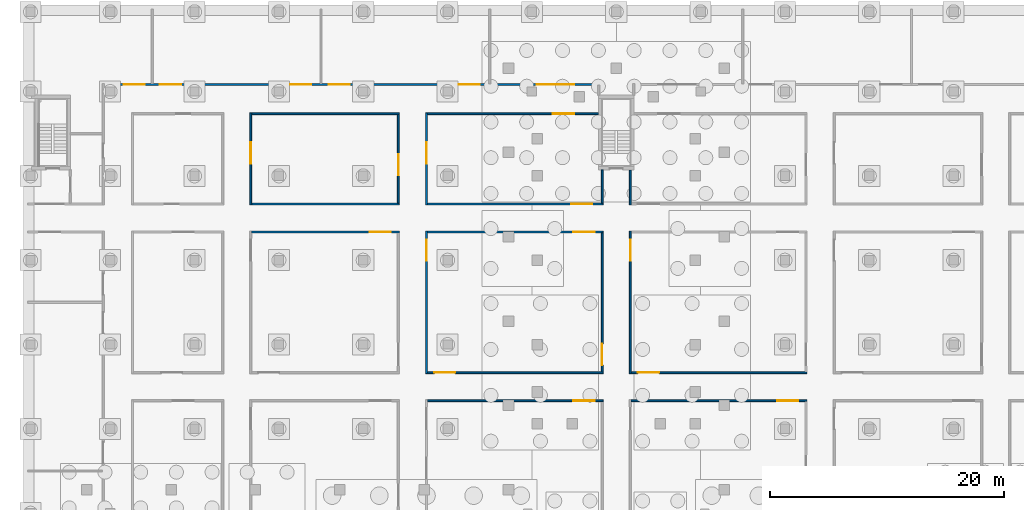
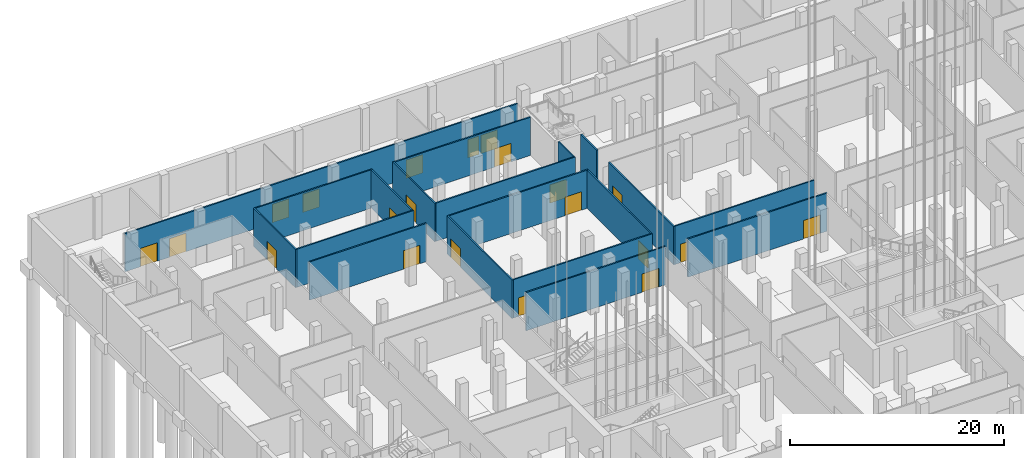
# One storey, part 17 of 54: 21 doors, 19 walls, 21 openings.
"""IFC4 building model written with IfcOpenShell, lengths in metres."""

from ifc_helpers import new_model, si_unit, direction, frame, frame_2d, origin, place, context, subcontext, project, spatial, rectangle, extrude, material, layer, layer_set, type_object, element, fill, save


model = new_model("IFC4")

# Units and contexts
model_context = context("Model", 3, precision=1e-05, world=origin(), true_north=direction((0.0, 1.0)))
body_context = subcontext(model_context, "Body", "Model", "MODEL_VIEW")
ifc_project = project(units=[si_unit("LENGTHUNIT", "METRE"), si_unit("AREAUNIT", "SQUARE_METRE"), si_unit("VOLUMEUNIT", "CUBIC_METRE"), si_unit("PLANEANGLEUNIT", "RADIAN"), si_unit("MASSUNIT", "GRAM", prefix="KILO")], contexts=[model_context])

# Site, building, storey
site_placement = place(None, origin())
site = spatial("IfcSite", under=ifc_project, at=site_placement, CompositionType="ELEMENT")
building_placement = place(site_placement, origin())
building = spatial("IfcBuilding", under=site, at=building_placement, Name="Fustian Cross Tower", CompositionType="ELEMENT")
storey_placement = place(building_placement, frame((0.0, 0.0, -4.800048828125)))
storey = spatial("IfcBuildingStorey", under=building, at=storey_placement, Name="B1", CompositionType="ELEMENT", Elevation=-4.800048828125)

# Wall, openings, doors
ifc_material_1 = material(Name="Plasterboard on steel stud", Category="steel")
ifc_layer = layer(ifc_material_1, 0.14990234375)
ifc_layer_set = layer_set([ifc_layer], Name="Plasterboard on steel stud")
wall_type = type_object("IfcWallType", Name="COMPARTMENT WALL 150 EI 60", PredefinedType="PARTITIONING", material=ifc_layer_set)
wall_1_placement = place(storey_placement, frame((-43.72509765625, 43.800048828125, 0.0), z_axis=(0.0, 0.0, 1.0), x_axis=(1.0, 0.0, 0.0)))
wall_1 = element("IfcWall", 1, at=wall_1_placement, inside=storey, type_object=wall_type, Name="Partition 20", PredefinedType="PARTITIONING", context=body_context, shape_type="SweptSolid", body=[
    extrude(rectangle(XDim=42.300048828125, YDim=0.14990234375, at=frame_2d((21.14990234375, 0.0))), origin(), (0.0, 0.0, 1.0), 4.35009765625),
])
opening_1_placement = place(wall_1_placement, frame((4.77490234375, 0.0, 0.0)))
opening_1 = element("IfcOpeningElement", 2, at=opening_1_placement, cuts=wall_1, Name="Opening D01112", PredefinedType="OPENING", context=body_context, shape_type="SweptSolid", body=[
    extrude(rectangle(XDim=1.800048828125, YDim=2.10009765625, at=frame_2d((0.89990234375, 1.050048828125))), frame((0.0, 0.0849609375, 0.0), z_axis=(0.0, -1.0, 0.0), x_axis=(1.0, 0.0, 0.0)), (0.0, 0.0, 1.0), 0.169921875),
])
opening_2_placement = place(wall_1_placement, frame((15.875, 0.0, 0.0)))
opening_2 = element("IfcOpeningElement", 3, at=opening_2_placement, cuts=wall_1, Name="Opening D01113", PredefinedType="OPENING", context=body_context, shape_type="SweptSolid", body=[
    extrude(rectangle(XDim=1.800048828125, YDim=2.10009765625, at=frame_2d((0.89990234375, 1.050048828125))), frame((0.0, 0.0849609375, 0.0), z_axis=(0.0, -1.0, 0.0), x_axis=(1.0, 0.0, 0.0)), (0.0, 0.0, 1.0), 0.169921875),
])
opening_3_placement = place(wall_1_placement, frame((19.175048828125, 0.0, 0.0)))
opening_3 = element("IfcOpeningElement", 4, at=opening_3_placement, cuts=wall_1, Name="Opening D01114", PredefinedType="OPENING", context=body_context, shape_type="SweptSolid", body=[
    extrude(rectangle(XDim=1.800048828125, YDim=2.10009765625, at=frame_2d((0.89990234375, 1.050048828125))), frame((0.0, 0.0849609375, 0.0), z_axis=(0.0, -1.0, 0.0), x_axis=(1.0, 0.0, 0.0)), (0.0, 0.0, 1.0), 0.169921875),
])
opening_4_placement = place(wall_1_placement, frame((30.27490234375, 0.0, 0.0)))
opening_4 = element("IfcOpeningElement", 5, at=opening_4_placement, cuts=wall_1, Name="Opening D01115", PredefinedType="OPENING", context=body_context, shape_type="SweptSolid", body=[
    extrude(rectangle(XDim=1.800048828125, YDim=2.10009765625, at=frame_2d((0.89990234375, 1.050048828125))), frame((0.0, 0.0849609375, 0.0), z_axis=(0.0, -1.0, 0.0), x_axis=(1.0, 0.0, 0.0)), (0.0, 0.0, 1.0), 0.169921875),
])
opening_5_placement = place(wall_1_placement, frame((36.925048828125, 0.0, 0.0)))
opening_5 = element("IfcOpeningElement", 6, at=opening_5_placement, cuts=wall_1, Name="Opening D01116", PredefinedType="OPENING", context=body_context, shape_type="SweptSolid", body=[
    extrude(rectangle(XDim=1.199951171875, YDim=2.10009765625, at=frame_2d((0.60009765625, 1.050048828125))), frame((0.0, 0.0849609375, 0.0), z_axis=(0.0, -1.0, 0.0), x_axis=(1.0, 0.0, 0.0)), (0.0, 0.0, 1.0), 0.169921875),
])
opening_6_placement = place(wall_1_placement, frame((38.324951171875, 0.0, 0.0)))
opening_6 = element("IfcOpeningElement", 7, at=opening_6_placement, cuts=wall_1, Name="Opening D01117", PredefinedType="OPENING", context=body_context, shape_type="SweptSolid", body=[
    extrude(rectangle(XDim=1.800048828125, YDim=2.10009765625, at=frame_2d((0.89990234375, 1.050048828125))), frame((0.0, 0.0849609375, 0.0), z_axis=(0.0, -1.0, 0.0), x_axis=(1.0, 0.0, 0.0)), (0.0, 0.0, 1.0), 0.169921875),
])
opening_7_placement = place(wall_1_placement, frame((1.675048828125, 0.0, 0.0)))
opening_7 = element("IfcOpeningElement", 8, at=opening_7_placement, cuts=wall_1, Name="Opening D01124", PredefinedType="OPENING", context=body_context, shape_type="SweptSolid", body=[
    extrude(rectangle(XDim=1.800048828125, YDim=2.10009765625, at=frame_2d((0.89990234375, 1.050048828125))), frame((0.0, 0.0849609375, 0.0), z_axis=(0.0, -1.0, 0.0), x_axis=(1.0, 0.0, 0.0)), (0.0, 0.0, 1.0), 0.169921875),
])
ifc_material_2 = material(Name="Timber fire door set", Category="wood")
door_type_1 = type_object("IfcDoorType", Name="FIRE DOUBLE DOOR 1800 FD30S", OperationType="DOUBLE_DOOR_DOUBLE_SWING", PredefinedType="DOOR", material=ifc_material_2)
door_1_placement = place(opening_1_placement, frame((1.800048828125, 0.0, 0.0), z_axis=(0.0, 0.0, 1.0), x_axis=(-1.0, 0.0, 0.0)))
door_1 = element("IfcDoor", 9, at=door_1_placement, inside=storey, type_object=door_type_1, Name="Door D01112", OperationType="DOUBLE_DOOR_DOUBLE_SWING", OverallHeight=2.10009765625, OverallWidth=1.800048828125, PredefinedType="DOOR", context=body_context, shape_type="SweptSolid", body=[
    extrude(rectangle(XDim=1.800048828125, YDim=2.10009765625, at=frame_2d((0.89990234375, 1.050048828125))), frame((0.0, 0.02490234375, 0.0), z_axis=(0.0, -1.0, 0.0), x_axis=(1.0, 0.0, 0.0)), (0.0, 0.0, 1.0), 0.050048828125),
])
fill(opening_1, door_1)
door_2_placement = place(opening_2_placement, frame((1.800048828125, 0.0, 0.0), z_axis=(0.0, 0.0, 1.0), x_axis=(-1.0, 0.0, 0.0)))
door_2 = element("IfcDoor", 10, at=door_2_placement, inside=storey, type_object=door_type_1, Name="Door D01113", OperationType="DOUBLE_DOOR_DOUBLE_SWING", OverallHeight=2.10009765625, OverallWidth=1.800048828125, PredefinedType="DOOR", context=body_context, shape_type="SweptSolid", body=[
    extrude(rectangle(XDim=1.800048828125, YDim=2.10009765625, at=frame_2d((0.89990234375, 1.050048828125))), frame((0.0, 0.02490234375, 0.0), z_axis=(0.0, -1.0, 0.0), x_axis=(1.0, 0.0, 0.0)), (0.0, 0.0, 1.0), 0.050048828125),
])
fill(opening_2, door_2)
door_3_placement = place(opening_3_placement, frame((1.800048828125, 0.0, 0.0), z_axis=(0.0, 0.0, 1.0), x_axis=(-1.0, 0.0, 0.0)))
door_3 = element("IfcDoor", 11, at=door_3_placement, inside=storey, type_object=door_type_1, Name="Door D01114", OperationType="DOUBLE_DOOR_DOUBLE_SWING", OverallHeight=2.10009765625, OverallWidth=1.800048828125, PredefinedType="DOOR", context=body_context, shape_type="SweptSolid", body=[
    extrude(rectangle(XDim=1.800048828125, YDim=2.10009765625, at=frame_2d((0.89990234375, 1.050048828125))), frame((0.0, 0.02490234375, 0.0), z_axis=(0.0, -1.0, 0.0), x_axis=(1.0, 0.0, 0.0)), (0.0, 0.0, 1.0), 0.050048828125),
])
fill(opening_3, door_3)
door_4_placement = place(opening_4_placement, frame((1.800048828125, 0.0, 0.0), z_axis=(0.0, 0.0, 1.0), x_axis=(-1.0, 0.0, 0.0)))
door_4 = element("IfcDoor", 12, at=door_4_placement, inside=storey, type_object=door_type_1, Name="Door D01115", OperationType="DOUBLE_DOOR_DOUBLE_SWING", OverallHeight=2.10009765625, OverallWidth=1.800048828125, PredefinedType="DOOR", context=body_context, shape_type="SweptSolid", body=[
    extrude(rectangle(XDim=1.800048828125, YDim=2.10009765625, at=frame_2d((0.89990234375, 1.050048828125))), frame((0.0, 0.02490234375, 0.0), z_axis=(0.0, -1.0, 0.0), x_axis=(1.0, 0.0, 0.0)), (0.0, 0.0, 1.0), 0.050048828125),
])
fill(opening_4, door_4)
door_5_placement = place(opening_6_placement, frame((1.800048828125, 0.0, 0.0), z_axis=(0.0, 0.0, 1.0), x_axis=(-1.0, 0.0, 0.0)))
door_5 = element("IfcDoor", 13, at=door_5_placement, inside=storey, type_object=door_type_1, Name="Door D01117", OperationType="DOUBLE_DOOR_DOUBLE_SWING", OverallHeight=2.10009765625, OverallWidth=1.800048828125, PredefinedType="DOOR", context=body_context, shape_type="SweptSolid", body=[
    extrude(rectangle(XDim=1.800048828125, YDim=2.10009765625, at=frame_2d((0.89990234375, 1.050048828125))), frame((0.0, 0.02490234375, 0.0), z_axis=(0.0, -1.0, 0.0), x_axis=(1.0, 0.0, 0.0)), (0.0, 0.0, 1.0), 0.050048828125),
])
fill(opening_6, door_5)
door_6_placement = place(opening_7_placement, frame((1.800048828125, 0.0, 0.0), z_axis=(0.0, 0.0, 1.0), x_axis=(-1.0, 0.0, 0.0)))
door_6 = element("IfcDoor", 14, at=door_6_placement, inside=storey, type_object=door_type_1, Name="Door D01124", OperationType="DOUBLE_DOOR_DOUBLE_SWING", OverallHeight=2.10009765625, OverallWidth=1.800048828125, PredefinedType="DOOR", context=body_context, shape_type="SweptSolid", body=[
    extrude(rectangle(XDim=1.800048828125, YDim=2.10009765625, at=frame_2d((0.89990234375, 1.050048828125))), frame((0.0, 0.02490234375, 0.0), z_axis=(0.0, -1.0, 0.0), x_axis=(1.0, 0.0, 0.0)), (0.0, 0.0, 1.0), 0.050048828125),
])
fill(opening_7, door_6)
ifc_material_3 = material(Name="Timber fire door set", Category="wood")
door_type_2 = type_object("IfcDoorType", Name="FIRE SWING DOOR 1200 FD30S", OperationType="SINGLE_SWING_LEFT", PredefinedType="DOOR", material=ifc_material_3)
door_7_placement = place(opening_5_placement, frame((1.199951171875, 0.0, 0.0), z_axis=(0.0, 0.0, 1.0), x_axis=(-1.0, 0.0, 0.0)))
door_7 = element("IfcDoor", 15, at=door_7_placement, inside=storey, type_object=door_type_2, Name="Door D01116", OperationType="SINGLE_SWING_LEFT", OverallHeight=2.10009765625, OverallWidth=1.199951171875, PredefinedType="DOOR", context=body_context, shape_type="SweptSolid", body=[
    extrude(rectangle(XDim=1.199951171875, YDim=2.10009765625, at=frame_2d((0.60009765625, 1.050048828125))), frame((0.0, 0.02490234375, 0.0), z_axis=(0.0, -1.0, 0.0), x_axis=(1.0, 0.0, 0.0)), (0.0, 0.0, 1.0), 0.050048828125),
])
fill(opening_5, door_7)

# Wall, opening, door
wall_2_placement = place(storey_placement, frame((-31.125, 31.199951171875, 0.0), z_axis=(0.0, 0.0, 1.0), x_axis=(1.0, 0.0, 0.0)))
wall_2 = element("IfcWall", 16, at=wall_2_placement, inside=storey, type_object=wall_type, Name="Partition 60", PredefinedType="PARTITIONING", context=body_context, shape_type="SweptSolid", body=[
    extrude(rectangle(XDim=12.60009765625, YDim=0.14990234375, at=frame_2d((6.300048828125, 0.0))), origin(), (0.0, 0.0, 1.0), 4.35009765625),
])
opening_8_placement = place(wall_2_placement, frame((10.074951171875, 0.0, 0.0)))
opening_8 = element("IfcOpeningElement", 17, at=opening_8_placement, cuts=wall_2, Name="Opening D01080", PredefinedType="OPENING", context=body_context, shape_type="SweptSolid", body=[
    extrude(rectangle(XDim=1.800048828125, YDim=2.10009765625, at=frame_2d((0.89990234375, 1.050048828125))), frame((0.0, 0.0849609375, 0.0), z_axis=(0.0, -1.0, 0.0), x_axis=(1.0, 0.0, 0.0)), (0.0, 0.0, 1.0), 0.169921875),
])
ifc_material_4 = material(Name="Timber fire door set", Category="wood")
door_type_3 = type_object("IfcDoorType", Name="FIRE DOUBLE DOOR 1800 FD60S", OperationType="DOUBLE_DOOR_DOUBLE_SWING", PredefinedType="DOOR", material=ifc_material_4)
door_8_placement = place(opening_8_placement, origin())
door_8 = element("IfcDoor", 18, at=door_8_placement, inside=storey, type_object=door_type_3, Name="Door D01080", OperationType="DOUBLE_DOOR_DOUBLE_SWING", OverallHeight=2.10009765625, OverallWidth=1.800048828125, PredefinedType="DOOR", context=body_context, shape_type="SweptSolid", body=[
    extrude(rectangle(XDim=1.800048828125, YDim=2.10009765625, at=frame_2d((0.89990234375, 1.050048828125))), frame((0.0, 0.02490234375, 0.0), z_axis=(0.0, -1.0, 0.0), x_axis=(1.0, 0.0, 0.0)), (0.0, 0.0, 1.0), 0.050048828125),
])
fill(opening_8, door_8)

wall_3_placement = place(storey_placement, frame((-31.199951171875, 33.52490234375, 0.0), z_axis=(0.0, 0.0, 1.0), x_axis=(0.0, 1.0, 0.0)))
wall_3 = element("IfcWall", 19, at=wall_3_placement, inside=storey, type_object=wall_type, Name="Partition 61", PredefinedType="PARTITIONING", context=body_context, shape_type="SweptSolid", body=[
    extrude(rectangle(XDim=7.85009765625, YDim=0.14990234375, at=frame_2d((3.925048828125, 0.0))), origin(), (0.0, 0.0, 1.0), 4.35009765625),
])
opening_9_placement = place(wall_3_placement, frame((3.52490234375, 0.0, 0.0)))
opening_9 = element("IfcOpeningElement", 20, at=opening_9_placement, cuts=wall_3, Name="Opening D01130", PredefinedType="OPENING", context=body_context, shape_type="SweptSolid", body=[
    extrude(rectangle(XDim=1.800048828125, YDim=2.10009765625, at=frame_2d((0.89990234375, 1.050048828125))), frame((0.0, 0.0849609375, 0.0), z_axis=(0.0, -1.0, 0.0), x_axis=(1.0, 0.0, 0.0)), (0.0, 0.0, 1.0), 0.169921875),
])
door_9_placement = place(opening_9_placement, origin())
door_9 = element("IfcDoor", 21, at=door_9_placement, inside=storey, type_object=door_type_1, Name="Door D01130", OperationType="DOUBLE_DOOR_DOUBLE_SWING", OverallHeight=2.10009765625, OverallWidth=1.800048828125, PredefinedType="DOOR", context=body_context, shape_type="SweptSolid", body=[
    extrude(rectangle(XDim=1.800048828125, YDim=2.10009765625, at=frame_2d((0.89990234375, 1.050048828125))), frame((0.0, 0.02490234375, 0.0), z_axis=(0.0, -1.0, 0.0), x_axis=(1.0, 0.0, 0.0)), (0.0, 0.0, 1.0), 0.050048828125),
])
fill(opening_9, door_9)

# Walls
for number, where, z_axis, x_axis, name in (
    (22, (-31.125, 33.60009765625, 0.0), (0.0, 0.0, 1.0), (1.0, 0.0, 0.0), "Partition 62"),
    (23, (-31.125, 41.300048828125, 0.0), (0.0, 0.0, 1.0), (1.0, 0.0, 0.0), "Partition 63"),
):
    element("IfcWall", number, at=place(storey_placement, frame(where, z_axis=z_axis, x_axis=x_axis)), inside=storey, type_object=wall_type, Name=name, PredefinedType="PARTITIONING", context=body_context, shape_type="SweptSolid", body=[
        extrude(rectangle(XDim=12.60009765625, YDim=0.14990234375, at=frame_2d((6.300048828125, 0.0))), origin(), (0.0, 0.0, 1.0), 4.35009765625),
    ])

# Wall, opening, door
wall_4_placement = place(storey_placement, frame((-18.60009765625, 33.675048828125, 0.0), z_axis=(0.0, 0.0, 1.0), x_axis=(0.0, 1.0, 0.0)))
wall_4 = element("IfcWall", 24, at=wall_4_placement, inside=storey, type_object=wall_type, Name="Partition 71", PredefinedType="PARTITIONING", context=body_context, shape_type="SweptSolid", body=[
    extrude(rectangle(XDim=7.550048828125, YDim=0.14990234375, at=frame_2d((3.77490234375, 0.0))), origin(), (0.0, 0.0, 1.0), 4.35009765625),
])
opening_10_placement = place(wall_4_placement, frame((2.375, 0.0, 0.0)))
opening_10 = element("IfcOpeningElement", 25, at=opening_10_placement, cuts=wall_4, Name="Opening D01131", PredefinedType="OPENING", context=body_context, shape_type="SweptSolid", body=[
    extrude(rectangle(XDim=1.800048828125, YDim=2.10009765625, at=frame_2d((0.89990234375, 1.050048828125))), frame((0.0, 0.0849609375, 0.0), z_axis=(0.0, -1.0, 0.0), x_axis=(1.0, 0.0, 0.0)), (0.0, 0.0, 1.0), 0.169921875),
])
door_10_placement = place(opening_10_placement, frame((1.800048828125, 0.0, 0.0), z_axis=(0.0, 0.0, 1.0), x_axis=(-1.0, 0.0, 0.0)))
door_10 = element("IfcDoor", 26, at=door_10_placement, inside=storey, type_object=door_type_1, Name="Door D01131", OperationType="DOUBLE_DOOR_DOUBLE_SWING", OverallHeight=2.10009765625, OverallWidth=1.800048828125, PredefinedType="DOOR", context=body_context, shape_type="SweptSolid", body=[
    extrude(rectangle(XDim=1.800048828125, YDim=2.10009765625, at=frame_2d((0.89990234375, 1.050048828125))), frame((0.0, 0.02490234375, 0.0), z_axis=(0.0, -1.0, 0.0), x_axis=(1.0, 0.0, 0.0)), (0.0, 0.0, 1.0), 0.050048828125),
])
fill(opening_10, door_10)

wall_5_placement = place(storey_placement, frame((-16.125, 16.800048828125, 0.0), z_axis=(0.0, 0.0, 1.0), x_axis=(1.0, 0.0, 0.0)))
wall_5 = element("IfcWall", 27, at=wall_5_placement, inside=storey, type_object=wall_type, Name="Partition 81", PredefinedType="PARTITIONING", context=body_context, shape_type="SweptSolid", body=[
    extrude(rectangle(XDim=15.0, YDim=0.14990234375, at=frame_2d((7.5, 0.0))), origin(), (0.0, 0.0, 1.0), 4.35009765625),
])
opening_11_placement = place(wall_5_placement, frame((12.47509765625, 0.0, 0.0)))
opening_11 = element("IfcOpeningElement", 28, at=opening_11_placement, cuts=wall_5, Name="Opening D01068", PredefinedType="OPENING", context=body_context, shape_type="SweptSolid", body=[
    extrude(rectangle(XDim=1.800048828125, YDim=2.10009765625, at=frame_2d((0.89990234375, 1.050048828125))), frame((0.0, 0.0849609375, 0.0), z_axis=(0.0, -1.0, 0.0), x_axis=(1.0, 0.0, 0.0)), (0.0, 0.0, 1.0), 0.169921875),
])
door_11_placement = place(opening_11_placement, origin())
door_11 = element("IfcDoor", 29, at=door_11_placement, inside=storey, type_object=door_type_1, Name="Door D01068", OperationType="DOUBLE_DOOR_DOUBLE_SWING", OverallHeight=2.10009765625, OverallWidth=1.800048828125, PredefinedType="DOOR", context=body_context, shape_type="SweptSolid", body=[
    extrude(rectangle(XDim=1.800048828125, YDim=2.10009765625, at=frame_2d((0.89990234375, 1.050048828125))), frame((0.0, 0.02490234375, 0.0), z_axis=(0.0, -1.0, 0.0), x_axis=(1.0, 0.0, 0.0)), (0.0, 0.0, 1.0), 0.050048828125),
])
fill(opening_11, door_11)

wall_6_placement = place(storey_placement, frame((-16.199951171875, 19.125, 0.0), z_axis=(0.0, 0.0, 1.0), x_axis=(0.0, 1.0, 0.0)))
wall_6 = element("IfcWall", 30, at=wall_6_placement, inside=storey, type_object=wall_type, Name="Partition 82", PredefinedType="PARTITIONING", context=body_context, shape_type="SweptSolid", body=[
    extrude(rectangle(XDim=12.14990234375, YDim=0.14990234375, at=frame_2d((6.074951171875, 0.0))), origin(), (0.0, 0.0, 1.0), 4.35009765625),
])
opening_12_placement = place(wall_6_placement, frame((9.625, 0.0, 0.0)))
opening_12 = element("IfcOpeningElement", 31, at=opening_12_placement, cuts=wall_6, Name="Opening D01074", PredefinedType="OPENING", context=body_context, shape_type="SweptSolid", body=[
    extrude(rectangle(XDim=1.800048828125, YDim=2.10009765625, at=frame_2d((0.89990234375, 1.050048828125))), frame((0.0, 0.0849609375, 0.0), z_axis=(0.0, -1.0, 0.0), x_axis=(1.0, 0.0, 0.0)), (0.0, 0.0, 1.0), 0.169921875),
])
door_12_placement = place(opening_12_placement, origin())
door_12 = element("IfcDoor", 32, at=door_12_placement, inside=storey, type_object=door_type_3, Name="Door D01074", OperationType="DOUBLE_DOOR_DOUBLE_SWING", OverallHeight=2.10009765625, OverallWidth=1.800048828125, PredefinedType="DOOR", context=body_context, shape_type="SweptSolid", body=[
    extrude(rectangle(XDim=1.800048828125, YDim=2.10009765625, at=frame_2d((0.89990234375, 1.050048828125))), frame((0.0, 0.02490234375, 0.0), z_axis=(0.0, -1.0, 0.0), x_axis=(1.0, 0.0, 0.0)), (0.0, 0.0, 1.0), 0.050048828125),
])
fill(opening_12, door_12)

wall_7_placement = place(storey_placement, frame((-16.125, 19.199951171875, 0.0), z_axis=(0.0, 0.0, 1.0), x_axis=(1.0, 0.0, 0.0)))
wall_7 = element("IfcWall", 33, at=wall_7_placement, inside=storey, type_object=wall_type, Name="Partition 83", PredefinedType="PARTITIONING", context=body_context, shape_type="SweptSolid", body=[
    extrude(rectangle(XDim=15.0, YDim=0.14990234375, at=frame_2d((7.5, 0.0))), origin(), (0.0, 0.0, 1.0), 4.35009765625),
])
opening_13_placement = place(wall_7_placement, frame((0.574951171875, 0.0, 0.0)))
opening_13 = element("IfcOpeningElement", 34, at=opening_13_placement, cuts=wall_7, Name="Opening D01075", PredefinedType="OPENING", context=body_context, shape_type="SweptSolid", body=[
    extrude(rectangle(XDim=1.800048828125, YDim=2.10009765625, at=frame_2d((0.89990234375, 1.050048828125))), frame((0.0, 0.0849609375, 0.0), z_axis=(0.0, -1.0, 0.0), x_axis=(1.0, 0.0, 0.0)), (0.0, 0.0, 1.0), 0.169921875),
])
door_13_placement = place(opening_13_placement, frame((1.800048828125, 0.0, 0.0), z_axis=(0.0, 0.0, 1.0), x_axis=(-1.0, 0.0, 0.0)))
door_13 = element("IfcDoor", 35, at=door_13_placement, inside=storey, type_object=door_type_3, Name="Door D01075", OperationType="DOUBLE_DOOR_DOUBLE_SWING", OverallHeight=2.10009765625, OverallWidth=1.800048828125, PredefinedType="DOOR", context=body_context, shape_type="SweptSolid", body=[
    extrude(rectangle(XDim=1.800048828125, YDim=2.10009765625, at=frame_2d((0.89990234375, 1.050048828125))), frame((0.0, 0.02490234375, 0.0), z_axis=(0.0, -1.0, 0.0), x_axis=(1.0, 0.0, 0.0)), (0.0, 0.0, 1.0), 0.050048828125),
])
fill(opening_13, door_13)

wall_8_placement = place(storey_placement, frame((-16.125, 31.199951171875, 0.0), z_axis=(0.0, 0.0, 1.0), x_axis=(1.0, 0.0, 0.0)))
wall_8 = element("IfcWall", 36, at=wall_8_placement, inside=storey, type_object=wall_type, Name="Partition 84", PredefinedType="PARTITIONING", context=body_context, shape_type="SweptSolid", body=[
    extrude(rectangle(XDim=15.0, YDim=0.14990234375, at=frame_2d((7.5, 0.0))), origin(), (0.0, 0.0, 1.0), 4.35009765625),
])
opening_14_placement = place(wall_8_placement, frame((12.47509765625, 0.0, 0.0)))
opening_14 = element("IfcOpeningElement", 37, at=opening_14_placement, cuts=wall_8, Name="Opening D01076", PredefinedType="OPENING", context=body_context, shape_type="SweptSolid", body=[
    extrude(rectangle(XDim=1.800048828125, YDim=2.10009765625, at=frame_2d((0.89990234375, 1.050048828125))), frame((0.0, 0.0849609375, 0.0), z_axis=(0.0, -1.0, 0.0), x_axis=(1.0, 0.0, 0.0)), (0.0, 0.0, 1.0), 0.169921875),
])
door_14_placement = place(opening_14_placement, origin())
door_14 = element("IfcDoor", 38, at=door_14_placement, inside=storey, type_object=door_type_3, Name="Door D01076", OperationType="DOUBLE_DOOR_DOUBLE_SWING", OverallHeight=2.10009765625, OverallWidth=1.800048828125, PredefinedType="DOOR", context=body_context, shape_type="SweptSolid", body=[
    extrude(rectangle(XDim=1.800048828125, YDim=2.10009765625, at=frame_2d((0.89990234375, 1.050048828125))), frame((0.0, 0.02490234375, 0.0), z_axis=(0.0, -1.0, 0.0), x_axis=(1.0, 0.0, 0.0)), (0.0, 0.0, 1.0), 0.050048828125),
])
fill(opening_14, door_14)

wall_9_placement = place(storey_placement, frame((-16.199951171875, 33.52490234375, 0.0), z_axis=(0.0, 0.0, 1.0), x_axis=(0.0, 1.0, 0.0)))
wall_9 = element("IfcWall", 39, at=wall_9_placement, inside=storey, type_object=wall_type, Name="Partition 85", PredefinedType="PARTITIONING", context=body_context, shape_type="SweptSolid", body=[
    extrude(rectangle(XDim=7.85009765625, YDim=0.14990234375, at=frame_2d((3.925048828125, 0.0))), origin(), (0.0, 0.0, 1.0), 4.35009765625),
])
opening_15_placement = place(wall_9_placement, frame((3.52490234375, 0.0, 0.0)))
opening_15 = element("IfcOpeningElement", 40, at=opening_15_placement, cuts=wall_9, Name="Opening D01132", PredefinedType="OPENING", context=body_context, shape_type="SweptSolid", body=[
    extrude(rectangle(XDim=1.800048828125, YDim=2.10009765625, at=frame_2d((0.89990234375, 1.050048828125))), frame((0.0, 0.0849609375, 0.0), z_axis=(0.0, -1.0, 0.0), x_axis=(1.0, 0.0, 0.0)), (0.0, 0.0, 1.0), 0.169921875),
])
door_15_placement = place(opening_15_placement, origin())
door_15 = element("IfcDoor", 41, at=door_15_placement, inside=storey, type_object=door_type_1, Name="Door D01132", OperationType="DOUBLE_DOOR_DOUBLE_SWING", OverallHeight=2.10009765625, OverallWidth=1.800048828125, PredefinedType="DOOR", context=body_context, shape_type="SweptSolid", body=[
    extrude(rectangle(XDim=1.800048828125, YDim=2.10009765625, at=frame_2d((0.89990234375, 1.050048828125))), frame((0.0, 0.02490234375, 0.0), z_axis=(0.0, -1.0, 0.0), x_axis=(1.0, 0.0, 0.0)), (0.0, 0.0, 1.0), 0.050048828125),
])
fill(opening_15, door_15)

wall_10_placement = place(storey_placement, frame((-16.125, 33.60009765625, 0.0), z_axis=(0.0, 0.0, 1.0), x_axis=(1.0, 0.0, 0.0)))
wall_10 = element("IfcWall", 42, at=wall_10_placement, inside=storey, type_object=wall_type, Name="Partition 86", PredefinedType="PARTITIONING", context=body_context, shape_type="SweptSolid", body=[
    extrude(rectangle(XDim=15.0, YDim=0.14990234375, at=frame_2d((7.5, 0.0))), origin(), (0.0, 0.0, 1.0), 4.35009765625),
])
opening_16_placement = place(wall_10_placement, frame((12.27490234375, 0.0, 0.0)))
opening_16 = element("IfcOpeningElement", 43, at=opening_16_placement, cuts=wall_10, Name="Opening D01134", PredefinedType="OPENING", context=body_context, shape_type="SweptSolid", body=[
    extrude(rectangle(XDim=1.800048828125, YDim=2.10009765625, at=frame_2d((0.89990234375, 1.050048828125))), frame((0.0, 0.0849609375, 0.0), z_axis=(0.0, -1.0, 0.0), x_axis=(1.0, 0.0, 0.0)), (0.0, 0.0, 1.0), 0.169921875),
])
door_16_placement = place(opening_16_placement, frame((1.800048828125, 0.0, 0.0), z_axis=(0.0, 0.0, 1.0), x_axis=(-1.0, 0.0, 0.0)))
door_16 = element("IfcDoor", 44, at=door_16_placement, inside=storey, type_object=door_type_1, Name="Door D01134", OperationType="DOUBLE_DOOR_DOUBLE_SWING", OverallHeight=2.10009765625, OverallWidth=1.800048828125, PredefinedType="DOOR", context=body_context, shape_type="SweptSolid", body=[
    extrude(rectangle(XDim=1.800048828125, YDim=2.10009765625, at=frame_2d((0.89990234375, 1.050048828125))), frame((0.0, 0.02490234375, 0.0), z_axis=(0.0, -1.0, 0.0), x_axis=(1.0, 0.0, 0.0)), (0.0, 0.0, 1.0), 0.050048828125),
])
fill(opening_16, door_16)

wall_11_placement = place(storey_placement, frame((-16.125, 41.300048828125, 0.0), z_axis=(0.0, 0.0, 1.0), x_axis=(1.0, 0.0, 0.0)))
wall_11 = element("IfcWall", 45, at=wall_11_placement, inside=storey, type_object=wall_type, Name="Partition 87", PredefinedType="PARTITIONING", context=body_context, shape_type="SweptSolid", body=[
    extrude(rectangle(XDim=14.625, YDim=0.14990234375, at=frame_2d((7.3125, 0.0))), origin(), (0.0, 0.0, 1.0), 4.35009765625),
])
opening_17_placement = place(wall_11_placement, frame((10.72509765625, 0.0, 0.0)))
opening_17 = element("IfcOpeningElement", 46, at=opening_17_placement, cuts=wall_11, Name="Opening D01133", PredefinedType="OPENING", context=body_context, shape_type="SweptSolid", body=[
    extrude(rectangle(XDim=1.800048828125, YDim=2.10009765625, at=frame_2d((0.89990234375, 1.050048828125))), frame((0.0, 0.0849609375, 0.0), z_axis=(0.0, -1.0, 0.0), x_axis=(1.0, 0.0, 0.0)), (0.0, 0.0, 1.0), 0.169921875),
])
door_17_placement = place(opening_17_placement, origin())
door_17 = element("IfcDoor", 47, at=door_17_placement, inside=storey, type_object=door_type_1, Name="Door D01133", OperationType="DOUBLE_DOOR_DOUBLE_SWING", OverallHeight=2.10009765625, OverallWidth=1.800048828125, PredefinedType="DOOR", context=body_context, shape_type="SweptSolid", body=[
    extrude(rectangle(XDim=1.800048828125, YDim=2.10009765625, at=frame_2d((0.89990234375, 1.050048828125))), frame((0.0, 0.02490234375, 0.0), z_axis=(0.0, -1.0, 0.0), x_axis=(1.0, 0.0, 0.0)), (0.0, 0.0, 1.0), 0.050048828125),
])
fill(opening_17, door_17)

wall_12_placement = place(storey_placement, frame((-1.199951171875, 19.27490234375, 0.0), z_axis=(0.0, 0.0, 1.0), x_axis=(0.0, 1.0, 0.0)))
wall_12 = element("IfcWall", 48, at=wall_12_placement, inside=storey, type_object=wall_type, Name="Partition 98", PredefinedType="PARTITIONING", context=body_context, shape_type="SweptSolid", body=[
    extrude(rectangle(XDim=11.85009765625, YDim=0.14990234375, at=frame_2d((5.925048828125, 0.0))), origin(), (0.0, 0.0, 1.0), 4.35009765625),
])
opening_18_placement = place(wall_12_placement, frame((0.574951171875, 0.0, 0.0)))
opening_18 = element("IfcOpeningElement", 49, at=opening_18_placement, cuts=wall_12, Name="Opening D01077", PredefinedType="OPENING", context=body_context, shape_type="SweptSolid", body=[
    extrude(rectangle(XDim=1.800048828125, YDim=2.10009765625, at=frame_2d((0.89990234375, 1.050048828125))), frame((0.0, 0.0849609375, 0.0), z_axis=(0.0, -1.0, 0.0), x_axis=(1.0, 0.0, 0.0)), (0.0, 0.0, 1.0), 0.169921875),
])
door_18_placement = place(opening_18_placement, frame((1.800048828125, 0.0, 0.0), z_axis=(0.0, 0.0, 1.0), x_axis=(-1.0, 0.0, 0.0)))
door_18 = element("IfcDoor", 50, at=door_18_placement, inside=storey, type_object=door_type_3, Name="Door D01077", OperationType="DOUBLE_DOOR_DOUBLE_SWING", OverallHeight=2.10009765625, OverallWidth=1.800048828125, PredefinedType="DOOR", context=body_context, shape_type="SweptSolid", body=[
    extrude(rectangle(XDim=1.800048828125, YDim=2.10009765625, at=frame_2d((0.89990234375, 1.050048828125))), frame((0.0, 0.02490234375, 0.0), z_axis=(0.0, -1.0, 0.0), x_axis=(1.0, 0.0, 0.0)), (0.0, 0.0, 1.0), 0.050048828125),
])
fill(opening_18, door_18)

# Wall
wall_13_placement = place(storey_placement, frame((-1.199951171875, 33.675048828125, 0.0), z_axis=(0.0, 0.0, 1.0), x_axis=(0.0, 1.0, 0.0)))
element("IfcWall", 51, at=wall_13_placement, inside=storey, type_object=wall_type, Name="Partition 99", PredefinedType="PARTITIONING", context=body_context, shape_type="SweptSolid", body=[
    extrude(rectangle(XDim=2.824951171875, YDim=0.14990234375, at=frame_2d((1.41259765625, 0.0))), origin(), (0.0, 0.0, 1.0), 4.35009765625),
])

# Wall, opening, door
wall_14_placement = place(storey_placement, frame((1.27490234375, 16.800048828125, 0.0), z_axis=(0.0, 0.0, 1.0), x_axis=(1.0, 0.0, 0.0)))
wall_14 = element("IfcWall", 52, at=wall_14_placement, inside=storey, type_object=wall_type, Name="Partition 110", PredefinedType="PARTITIONING", context=body_context, shape_type="SweptSolid", body=[
    extrude(rectangle(XDim=15.0, YDim=0.14990234375, at=frame_2d((7.5, 0.0))), origin(), (0.0, 0.0, 1.0), 4.35009765625),
])
opening_19_placement = place(wall_14_placement, frame((12.47509765625, 0.0, 0.0)))
opening_19 = element("IfcOpeningElement", 53, at=opening_19_placement, cuts=wall_14, Name="Opening D01050", PredefinedType="OPENING", context=body_context, shape_type="SweptSolid", body=[
    extrude(rectangle(XDim=1.800048828125, YDim=2.10009765625, at=frame_2d((0.89990234375, 1.050048828125))), frame((0.0, 0.0849609375, 0.0), z_axis=(0.0, -1.0, 0.0), x_axis=(1.0, 0.0, 0.0)), (0.0, 0.0, 1.0), 0.169921875),
])
door_19_placement = place(opening_19_placement, origin())
door_19 = element("IfcDoor", 54, at=door_19_placement, inside=storey, type_object=door_type_3, Name="Door D01050", OperationType="DOUBLE_DOOR_DOUBLE_SWING", OverallHeight=2.10009765625, OverallWidth=1.800048828125, PredefinedType="DOOR", context=body_context, shape_type="SweptSolid", body=[
    extrude(rectangle(XDim=1.800048828125, YDim=2.10009765625, at=frame_2d((0.89990234375, 1.050048828125))), frame((0.0, 0.02490234375, 0.0), z_axis=(0.0, -1.0, 0.0), x_axis=(1.0, 0.0, 0.0)), (0.0, 0.0, 1.0), 0.050048828125),
])
fill(opening_19, door_19)

wall_15_placement = place(storey_placement, frame((1.199951171875, 19.125, 0.0), z_axis=(0.0, 0.0, 1.0), x_axis=(0.0, 1.0, 0.0)))
wall_15 = element("IfcWall", 55, at=wall_15_placement, inside=storey, type_object=wall_type, Name="Partition 111", PredefinedType="PARTITIONING", context=body_context, shape_type="SweptSolid", body=[
    extrude(rectangle(XDim=12.14990234375, YDim=0.14990234375, at=frame_2d((6.074951171875, 0.0))), origin(), (0.0, 0.0, 1.0), 4.35009765625),
])
opening_20_placement = place(wall_15_placement, frame((9.625, 0.0, 0.0)))
opening_20 = element("IfcOpeningElement", 56, at=opening_20_placement, cuts=wall_15, Name="Opening D01057", PredefinedType="OPENING", context=body_context, shape_type="SweptSolid", body=[
    extrude(rectangle(XDim=1.800048828125, YDim=2.10009765625, at=frame_2d((0.89990234375, 1.050048828125))), frame((0.0, 0.0849609375, 0.0), z_axis=(0.0, -1.0, 0.0), x_axis=(1.0, 0.0, 0.0)), (0.0, 0.0, 1.0), 0.169921875),
])
door_20_placement = place(opening_20_placement, origin())
door_20 = element("IfcDoor", 57, at=door_20_placement, inside=storey, type_object=door_type_3, Name="Door D01057", OperationType="DOUBLE_DOOR_DOUBLE_SWING", OverallHeight=2.10009765625, OverallWidth=1.800048828125, PredefinedType="DOOR", context=body_context, shape_type="SweptSolid", body=[
    extrude(rectangle(XDim=1.800048828125, YDim=2.10009765625, at=frame_2d((0.89990234375, 1.050048828125))), frame((0.0, 0.02490234375, 0.0), z_axis=(0.0, -1.0, 0.0), x_axis=(1.0, 0.0, 0.0)), (0.0, 0.0, 1.0), 0.050048828125),
])
fill(opening_20, door_20)

wall_16_placement = place(storey_placement, frame((1.27490234375, 19.199951171875, 0.0), z_axis=(0.0, 0.0, 1.0), x_axis=(1.0, 0.0, 0.0)))
wall_16 = element("IfcWall", 58, at=wall_16_placement, inside=storey, type_object=wall_type, Name="Partition 112", PredefinedType="PARTITIONING", context=body_context, shape_type="SweptSolid", body=[
    extrude(rectangle(XDim=15.0, YDim=0.14990234375, at=frame_2d((7.5, 0.0))), origin(), (0.0, 0.0, 1.0), 4.35009765625),
])
opening_21_placement = place(wall_16_placement, frame((0.574951171875, 0.0, 0.0)))
opening_21 = element("IfcOpeningElement", 59, at=opening_21_placement, cuts=wall_16, Name="Opening D01058", PredefinedType="OPENING", context=body_context, shape_type="SweptSolid", body=[
    extrude(rectangle(XDim=1.800048828125, YDim=2.10009765625, at=frame_2d((0.89990234375, 1.050048828125))), frame((0.0, 0.0849609375, 0.0), z_axis=(0.0, -1.0, 0.0), x_axis=(1.0, 0.0, 0.0)), (0.0, 0.0, 1.0), 0.169921875),
])
door_21_placement = place(opening_21_placement, frame((1.800048828125, 0.0, 0.0), z_axis=(0.0, 0.0, 1.0), x_axis=(-1.0, 0.0, 0.0)))
door_21 = element("IfcDoor", 60, at=door_21_placement, inside=storey, type_object=door_type_3, Name="Door D01058", OperationType="DOUBLE_DOOR_DOUBLE_SWING", OverallHeight=2.10009765625, OverallWidth=1.800048828125, PredefinedType="DOOR", context=body_context, shape_type="SweptSolid", body=[
    extrude(rectangle(XDim=1.800048828125, YDim=2.10009765625, at=frame_2d((0.89990234375, 1.050048828125))), frame((0.0, 0.02490234375, 0.0), z_axis=(0.0, -1.0, 0.0), x_axis=(1.0, 0.0, 0.0)), (0.0, 0.0, 1.0), 0.050048828125),
])
fill(opening_21, door_21)

# Wall
wall_17_placement = place(storey_placement, frame((1.199951171875, 33.52490234375, 0.0), z_axis=(0.0, 0.0, 1.0), x_axis=(0.0, 1.0, 0.0)))
element("IfcWall", 61, at=wall_17_placement, inside=storey, type_object=wall_type, Name="Partition 114", PredefinedType="PARTITIONING", context=body_context, shape_type="SweptSolid", body=[
    extrude(rectangle(XDim=2.97509765625, YDim=0.14990234375, at=frame_2d((1.487548828125, 0.0))), origin(), (0.0, 0.0, 1.0), 4.35009765625),
])

save(model, "model.ifc")
